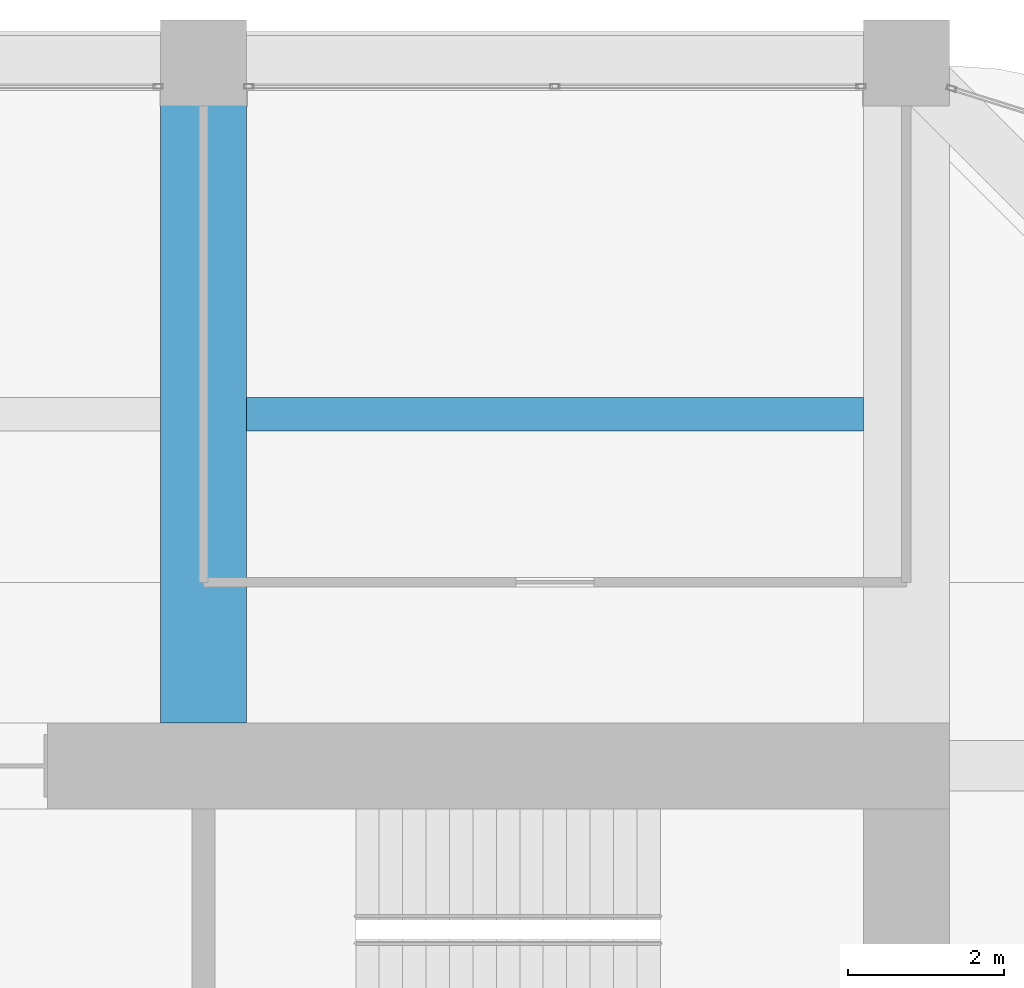
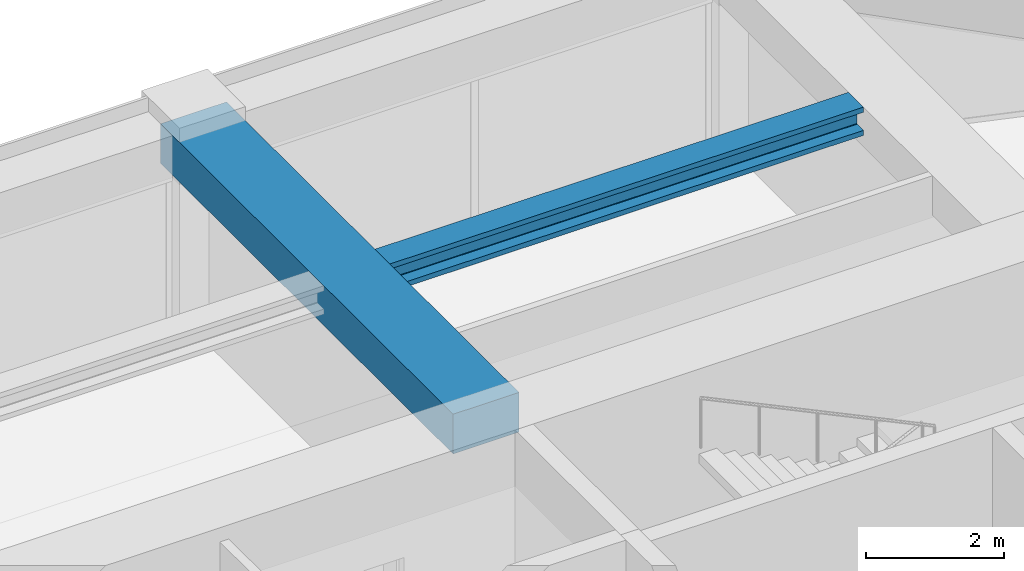
# One storey, part 34 of 44: 2 beams.
"""IFC4 building model written with IfcOpenShell, lengths in metres."""

from ifc_helpers import new_model, si_unit, direction, frame, origin, origin_2d, place, context, subcontext, project, spatial, rectangle, i_section, extrude, material, material_profile, profile_set, type_object, element, save


model = new_model("IFC4")

# Units and contexts
model_context = context("Model", 3, precision=1e-05, world=origin(), true_north=direction((0.0, 1.0)))
body_context = subcontext(model_context, "Body", "Model", "MODEL_VIEW")
ifc_project = project(units=[si_unit("LENGTHUNIT", "METRE"), si_unit("AREAUNIT", "SQUARE_METRE"), si_unit("VOLUMEUNIT", "CUBIC_METRE"), si_unit("PLANEANGLEUNIT", "RADIAN"), si_unit("MASSUNIT", "GRAM", prefix="KILO")], contexts=[model_context])

# Site, building, storey
site_placement = place(None, origin())
site = spatial("IfcSite", under=ifc_project, at=site_placement, CompositionType="ELEMENT")
building_placement = place(site_placement, origin())
building = spatial("IfcBuilding", under=site, at=building_placement, Name="Zorevar Civic Tower", CompositionType="ELEMENT")
storey_placement = place(building_placement, frame((0.0, 0.0, 299.39990234375)))
storey = spatial("IfcBuildingStorey", under=building, at=storey_placement, Name="L73", CompositionType="ELEMENT", Elevation=299.39990234375)

# Beams
ifc_material_1 = material(Name="Concrete C50/60", Category="concrete")
ifc_material_profile_1 = material_profile(ifc_material_1, rectangle(XDim=1.10009765625, YDim=0.699951171875, at=origin_2d()), Name="RC 1100x700")
ifc_profile_set_1 = profile_set([ifc_material_profile_1], Name="Concrete C50/60")
beam_type_1 = type_object("IfcBeamType", Name="Beam RC 1100x700", PredefinedType="BEAM", material=ifc_profile_set_1)
beam_1_placement = place(storey_placement, frame((36.0, 36.550048828125, 3.400146484375), z_axis=(0.0, 1.0, 0.0), x_axis=(-1.0, 0.0, 0.0)))
element("IfcBeam", 1, at=beam_1_placement, inside=storey, type_object=beam_type_1, Name="Girder L74", PredefinedType="BEAM", context=body_context, shape_type="SweptSolid", body=[
    extrude(rectangle(XDim=1.10009765625, YDim=0.699951171875, at=origin_2d()), origin(), (0.0, 0.0, 1.0), 8.449951171875),
])
ifc_material_2 = material(Name="Steel S460M (HISTAR 460)", Category="steel")
ifc_material_profile_2 = material_profile(ifc_material_2, i_section(OverallWidth=0.431884765625, OverallDepth=0.498046875, WebThickness=0.0556640625, FlangeThickness=0.0888671875, FilletRadius=0.014892578125, at=origin_2d()), Name="HD 400x744")
ifc_profile_set_2 = profile_set([ifc_material_profile_2], Name="Steel S460M (HISTAR 460)")
beam_type_2 = type_object("IfcBeamType", Name="Core bay beam HD 400x744", PredefinedType="BEAM", material=ifc_profile_set_2)
beam_2_placement = place(storey_placement, frame((36.550048828125, 40.5, 3.5009765625), z_axis=(1.0, 0.0, 0.0), x_axis=(0.0, 1.0, 0.0)))
element("IfcBeam", 2, at=beam_2_placement, inside=storey, type_object=beam_type_2, Name="Secondary beam L74", PredefinedType="BEAM", context=body_context, shape_type="SweptSolid", body=[
    extrude(i_section(OverallWidth=0.431884765625, OverallDepth=0.498046875, WebThickness=0.0556640625, FlangeThickness=0.0888671875, FilletRadius=0.014892578125, at=origin_2d()), origin(), (0.0, 0.0, 1.0), 7.89990234375),
])

save(model, "model.ifc")
